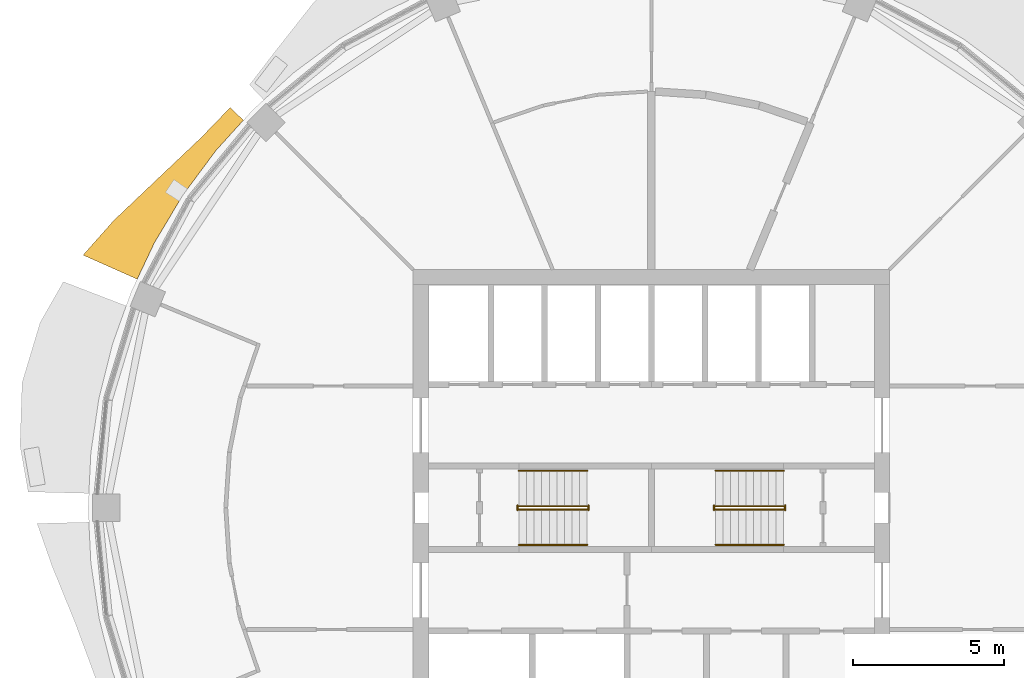
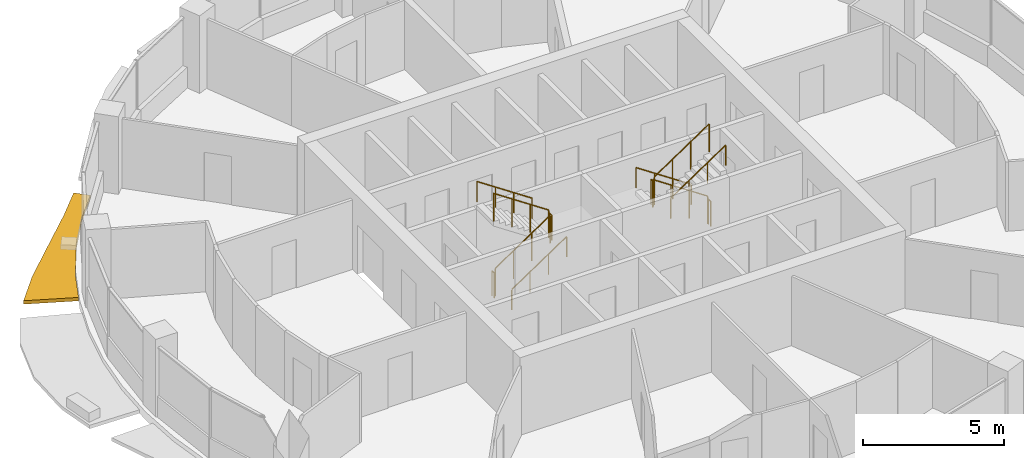
# One storey, part 13 of 15: 12 railings, 1 shading device.
"""IFC4 building model written with IfcOpenShell, lengths in metres."""

from ifc_helpers import new_model, si_unit, direction, frame, origin, origin_2d, place, context, subcontext, project, spatial, polyline, circle, outline, extrude, material, type_object, element, save


model = new_model("IFC4")

# Units and contexts
model_context = context("Model", 3, precision=1e-05, world=origin(), true_north=direction((0.0, 1.0)))
body_context = subcontext(model_context, "Body", "Model", "MODEL_VIEW")
ifc_project = project(units=[si_unit("LENGTHUNIT", "METRE"), si_unit("AREAUNIT", "SQUARE_METRE"), si_unit("VOLUMEUNIT", "CUBIC_METRE"), si_unit("PLANEANGLEUNIT", "RADIAN"), si_unit("MASSUNIT", "GRAM", prefix="KILO")], contexts=[model_context])

# Site, building, storey
site_placement = place(None, origin())
site = spatial("IfcSite", under=ifc_project, at=site_placement, CompositionType="ELEMENT")
building_placement = place(site_placement, origin())
building = spatial("IfcBuilding", under=site, at=building_placement, Name="Polderwave Tower", CompositionType="ELEMENT")
storey_placement = place(building_placement, frame((0.0, 0.0, 177.60009765625)))
storey = spatial("IfcBuildingStorey", under=building, at=storey_placement, Name="L47", CompositionType="ELEMENT", Elevation=177.60009765625)

# Railings
ifc_material_1 = material(Name="Stainless steel", Category="steel")
railing_type_1 = type_object("IfcRailingType", Name="Stair guard 1100", PredefinedType="GUARDRAIL", material=ifc_material_1)
railing_1_placement = place(storey_placement, frame((-4.3740234375, -0.051025390625, 0.04736328125)))
element("IfcRailing", 1, at=railing_1_placement, inside=storey, type_object=railing_type_1, Name="L47 ST-A stair guard 1", PredefinedType="GUARDRAIL", context=body_context, shape_type="SweptSolid", body=[
    extrude(circle(Radius=0.02392578125, at=origin_2d()), frame((0.0, 0.0, 1.1962890625), z_axis=(0.830799990696, 0.0, 0.556571087517), x_axis=(0.0, 1.0, 0.0)), (0.0, 0.0, 1.0), 2.708251953125),
    extrude(circle(Radius=0.02392578125, at=origin_2d()), origin(), (0.0, 0.0, 1.0), 1.172119140625),
    extrude(circle(Radius=0.02392578125, at=origin_2d()), frame((0.75, 0.0, 0.50244140625)), (0.0, 0.0, 1.0), 1.172119140625),
    extrude(circle(Radius=0.02392578125, at=origin_2d()), frame((1.5, 0.0, 1.0048828125)), (0.0, 0.0, 1.0), 1.172119140625),
    extrude(circle(Radius=0.02392578125, at=origin_2d()), frame((2.25, 0.0, 1.50732421875)), (0.0, 0.0, 1.0), 1.172119140625),
])
railing_2_placement = place(storey_placement, frame((-2.073974609375, -0.074951171875, 1.6748046875)))
element("IfcRailing", 2, at=railing_2_placement, inside=storey, type_object=railing_type_1, Name="L47 ST-A stair guard 2", PredefinedType="GUARDRAIL", context=body_context, shape_type="SweptSolid", body=[
    extrude(circle(Radius=0.02392578125, at=origin_2d()), frame((0.0, 0.0, 1.076171875), z_axis=(0.0, 1.0, 0.0), x_axis=(-1.0, 0.0, 0.0)), (0.0, 0.0, 1.0), 0.14990234375),
    extrude(circle(Radius=0.02099609375, at=origin_2d()), origin(), (0.0, 0.0, 1.0), 1.052001953125),
    extrude(circle(Radius=0.02099609375, at=origin_2d()), frame((0.0, 0.14990234375, 0.0)), (0.0, 0.0, 1.0), 1.052001953125),
])
railing_3_placement = place(storey_placement, frame((-2.1240234375, 0.051025390625, 1.72216796875)))
element("IfcRailing", 3, at=railing_3_placement, inside=storey, type_object=railing_type_1, Name="L47 ST-A stair guard 3", PredefinedType="GUARDRAIL", context=body_context, shape_type="SweptSolid", body=[
    extrude(circle(Radius=0.02392578125, at=origin_2d()), frame((0.0, 0.0, 1.1962890625), z_axis=(-0.830758306289, 0.0, 0.556633305266), x_axis=(0.0, -1.0, 0.0)), (0.0, 0.0, 1.0), 2.708251953125),
    extrude(circle(Radius=0.02392578125, at=origin_2d()), origin(), (0.0, 0.0, 1.0), 1.172119140625),
    extrude(circle(Radius=0.02392578125, at=origin_2d()), frame((-0.75, 0.0, 0.50244140625)), (0.0, 0.0, 1.0), 1.172119140625),
    extrude(circle(Radius=0.02392578125, at=origin_2d()), frame((-1.5, 0.0, 1.005126953125)), (0.0, 0.0, 1.0), 1.172119140625),
    extrude(circle(Radius=0.02392578125, at=origin_2d()), frame((-2.25, 0.0, 1.507568359375)), (0.0, 0.0, 1.0), 1.172119140625),
])
railing_4_placement = place(storey_placement, frame((-4.424072265625, -0.074951171875, 0.0)))
element("IfcRailing", 4, at=railing_4_placement, inside=storey, type_object=railing_type_1, Name="L47 ST-A stair guard 4", PredefinedType="GUARDRAIL", context=body_context, shape_type="SweptSolid", body=[
    extrude(circle(Radius=0.02392578125, at=origin_2d()), frame((0.0, 0.0, 1.076171875), z_axis=(0.0, 1.0, 0.0), x_axis=(-1.0, 0.0, 0.0)), (0.0, 0.0, 1.0), 0.14990234375),
    extrude(circle(Radius=0.02099609375, at=origin_2d()), origin(), (0.0, 0.0, 1.0), 1.052001953125),
    extrude(circle(Radius=0.02099609375, at=origin_2d()), frame((0.0, 0.14990234375, 0.0)), (0.0, 0.0, 1.0), 1.052001953125),
])
railing_5_placement = place(storey_placement, frame((4.3740234375, 0.051025390625, 0.04736328125)))
element("IfcRailing", 5, at=railing_5_placement, inside=storey, type_object=railing_type_1, Name="L47 ST-B stair guard 1", PredefinedType="GUARDRAIL", context=body_context, shape_type="SweptSolid", body=[
    extrude(circle(Radius=0.02392578125, at=origin_2d()), frame((0.0, 0.0, 1.1962890625), z_axis=(-0.830799990696, 0.0, 0.556571087517), x_axis=(0.0, -1.0, 0.0)), (0.0, 0.0, 1.0), 2.708251953125),
    extrude(circle(Radius=0.02392578125, at=origin_2d()), origin(), (0.0, 0.0, 1.0), 1.172119140625),
    extrude(circle(Radius=0.02392578125, at=origin_2d()), frame((-0.75, 0.0, 0.50244140625)), (0.0, 0.0, 1.0), 1.172119140625),
    extrude(circle(Radius=0.02392578125, at=origin_2d()), frame((-1.5, 0.0, 1.0048828125)), (0.0, 0.0, 1.0), 1.172119140625),
    extrude(circle(Radius=0.02392578125, at=origin_2d()), frame((-2.25, 0.0, 1.50732421875)), (0.0, 0.0, 1.0), 1.172119140625),
])
railing_6_placement = place(storey_placement, frame((2.073974609375, 0.074951171875, 1.6748046875)))
element("IfcRailing", 6, at=railing_6_placement, inside=storey, type_object=railing_type_1, Name="L47 ST-B stair guard 2", PredefinedType="GUARDRAIL", context=body_context, shape_type="SweptSolid", body=[
    extrude(circle(Radius=0.02392578125, at=origin_2d()), frame((0.0, 0.0, 1.076171875), z_axis=(0.0, -1.0, 0.0), x_axis=(1.0, 0.0, 0.0)), (0.0, 0.0, 1.0), 0.14990234375),
    extrude(circle(Radius=0.02099609375, at=origin_2d()), origin(), (0.0, 0.0, 1.0), 1.052001953125),
    extrude(circle(Radius=0.02099609375, at=origin_2d()), frame((0.0, -0.14990234375, 0.0)), (0.0, 0.0, 1.0), 1.052001953125),
])
railing_7_placement = place(storey_placement, frame((2.1240234375, -0.051025390625, 1.72216796875)))
element("IfcRailing", 7, at=railing_7_placement, inside=storey, type_object=railing_type_1, Name="L47 ST-B stair guard 3", PredefinedType="GUARDRAIL", context=body_context, shape_type="SweptSolid", body=[
    extrude(circle(Radius=0.02392578125, at=origin_2d()), frame((0.0, 0.0, 1.1962890625), z_axis=(0.830758306289, 0.0, 0.556633305266), x_axis=(0.0, 1.0, 0.0)), (0.0, 0.0, 1.0), 2.708251953125),
    extrude(circle(Radius=0.02392578125, at=origin_2d()), origin(), (0.0, 0.0, 1.0), 1.172119140625),
    extrude(circle(Radius=0.02392578125, at=origin_2d()), frame((0.75, 0.0, 0.50244140625)), (0.0, 0.0, 1.0), 1.172119140625),
    extrude(circle(Radius=0.02392578125, at=origin_2d()), frame((1.5, 0.0, 1.005126953125)), (0.0, 0.0, 1.0), 1.172119140625),
    extrude(circle(Radius=0.02392578125, at=origin_2d()), frame((2.25, 0.0, 1.507568359375)), (0.0, 0.0, 1.0), 1.172119140625),
])
railing_8_placement = place(storey_placement, frame((4.424072265625, 0.074951171875, 0.0)))
element("IfcRailing", 8, at=railing_8_placement, inside=storey, type_object=railing_type_1, Name="L47 ST-B stair guard 4", PredefinedType="GUARDRAIL", context=body_context, shape_type="SweptSolid", body=[
    extrude(circle(Radius=0.02392578125, at=origin_2d()), frame((0.0, 0.0, 1.076171875), z_axis=(0.0, -1.0, 0.0), x_axis=(1.0, 0.0, 0.0)), (0.0, 0.0, 1.0), 0.14990234375),
    extrude(circle(Radius=0.02099609375, at=origin_2d()), origin(), (0.0, 0.0, 1.0), 1.052001953125),
    extrude(circle(Radius=0.02099609375, at=origin_2d()), frame((0.0, -0.14990234375, 0.0)), (0.0, 0.0, 1.0), 1.052001953125),
])
railing_type_2 = type_object("IfcRailingType", Name="Stair handrail 900", PredefinedType="HANDRAIL", material=ifc_material_1)
railing_9_placement = place(storey_placement, frame((-4.3740234375, -1.22509765625, 0.16748046875)))
element("IfcRailing", 9, at=railing_9_placement, inside=storey, type_object=railing_type_2, Name="L47 ST-A stair handrail 1", PredefinedType="HANDRAIL", context=body_context, shape_type="SweptSolid", body=[
    extrude(circle(Radius=0.02392578125, at=origin_2d()), frame((0.0, 0.0, 0.8759765625), z_axis=(0.830799990696, 0.0, 0.556571087517), x_axis=(0.0, 1.0, 0.0)), (0.0, 0.0, 1.0), 2.708251953125),
    extrude(circle(Radius=0.02099609375, at=origin_2d()), origin(), (0.0, 0.0, 1.0), 0.851806640625),
    extrude(circle(Radius=0.02099609375, at=origin_2d()), frame((0.75, 0.0, 0.50244140625)), (0.0, 0.0, 1.0), 0.851806640625),
    extrude(circle(Radius=0.02099609375, at=origin_2d()), frame((1.5, 0.0, 1.0048828125)), (0.0, 0.0, 1.0), 0.851806640625),
    extrude(circle(Radius=0.02099609375, at=origin_2d()), frame((2.25, 0.0, 1.50732421875)), (0.0, 0.0, 1.0), 0.851806640625),
])
railing_10_placement = place(storey_placement, frame((-2.1240234375, 1.22509765625, 1.84228515625)))
element("IfcRailing", 10, at=railing_10_placement, inside=storey, type_object=railing_type_2, Name="L47 ST-A stair handrail 2", PredefinedType="HANDRAIL", context=body_context, shape_type="SweptSolid", body=[
    extrude(circle(Radius=0.02392578125, at=origin_2d()), frame((0.0, 0.0, 0.8759765625), z_axis=(-0.830758306289, 0.0, 0.556633305266), x_axis=(0.0, -1.0, 0.0)), (0.0, 0.0, 1.0), 2.708251953125),
    extrude(circle(Radius=0.02099609375, at=origin_2d()), origin(), (0.0, 0.0, 1.0), 0.851806640625),
    extrude(circle(Radius=0.02099609375, at=origin_2d()), frame((-0.75, 0.0, 0.50244140625)), (0.0, 0.0, 1.0), 0.851806640625),
    extrude(circle(Radius=0.02099609375, at=origin_2d()), frame((-1.5, 0.0, 1.005126953125)), (0.0, 0.0, 1.0), 0.851806640625),
    extrude(circle(Radius=0.02099609375, at=origin_2d()), frame((-2.25, 0.0, 1.507568359375)), (0.0, 0.0, 1.0), 0.851806640625),
])
railing_11_placement = place(storey_placement, frame((4.3740234375, 1.22509765625, 0.16748046875)))
element("IfcRailing", 11, at=railing_11_placement, inside=storey, type_object=railing_type_2, Name="L47 ST-B stair handrail 1", PredefinedType="HANDRAIL", context=body_context, shape_type="SweptSolid", body=[
    extrude(circle(Radius=0.02392578125, at=origin_2d()), frame((0.0, 0.0, 0.8759765625), z_axis=(-0.830799990696, 0.0, 0.556571087517), x_axis=(0.0, -1.0, 0.0)), (0.0, 0.0, 1.0), 2.708251953125),
    extrude(circle(Radius=0.02099609375, at=origin_2d()), origin(), (0.0, 0.0, 1.0), 0.851806640625),
    extrude(circle(Radius=0.02099609375, at=origin_2d()), frame((-0.75, 0.0, 0.50244140625)), (0.0, 0.0, 1.0), 0.851806640625),
    extrude(circle(Radius=0.02099609375, at=origin_2d()), frame((-1.5, 0.0, 1.0048828125)), (0.0, 0.0, 1.0), 0.851806640625),
    extrude(circle(Radius=0.02099609375, at=origin_2d()), frame((-2.25, 0.0, 1.50732421875)), (0.0, 0.0, 1.0), 0.851806640625),
])
railing_12_placement = place(storey_placement, frame((2.1240234375, -1.22509765625, 1.84228515625)))
element("IfcRailing", 12, at=railing_12_placement, inside=storey, type_object=railing_type_2, Name="L47 ST-B stair handrail 2", PredefinedType="HANDRAIL", context=body_context, shape_type="SweptSolid", body=[
    extrude(circle(Radius=0.02392578125, at=origin_2d()), frame((0.0, 0.0, 0.8759765625), z_axis=(0.830758306289, 0.0, 0.556633305266), x_axis=(0.0, 1.0, 0.0)), (0.0, 0.0, 1.0), 2.708251953125),
    extrude(circle(Radius=0.02099609375, at=origin_2d()), origin(), (0.0, 0.0, 1.0), 0.851806640625),
    extrude(circle(Radius=0.02099609375, at=origin_2d()), frame((0.75, 0.0, 0.50244140625)), (0.0, 0.0, 1.0), 0.851806640625),
    extrude(circle(Radius=0.02099609375, at=origin_2d()), frame((1.5, 0.0, 1.005126953125)), (0.0, 0.0, 1.0), 0.851806640625),
    extrude(circle(Radius=0.02099609375, at=origin_2d()), frame((2.25, 0.0, 1.507568359375)), (0.0, 0.0, 1.0), 0.851806640625),
])

# Shading device
ifc_material_2 = material(Name="Terracotta", Category="masonry")
shading_device_type = type_object("IfcShadingDeviceType", Name="Terracotta sunshade band", PredefinedType="USERDEFINED", material=ifc_material_2)
shading_device_placement = place(storey_placement, frame((0.0, 0.0, -0.35009765625)))
element("IfcShadingDevice", 13, at=shading_device_placement, inside=storey, type_object=shading_device_type, Name="Sunshade band L47 7", ObjectType="SUNSHADE", PredefinedType="USERDEFINED", context=body_context, shape_type="SweptSolid", body=[
    extrude(outline(polyline([(-13.486572265625, 12.81298828125), (-14.3935546875, 11.8125), (-15.48193359375, 10.3447265625), (-16.42138671875, 8.77734375), (-16.998779296875, 7.556640625), (-18.788818359375, 8.352294921875), (-17.772216796875, 9.49951171875), (-16.30419921875, 10.89404296875), (-14.897705078125, 12.22607421875), (-13.926025390625, 13.23046875), (-13.486572265625, 12.81298828125)])), origin(), (0.0, 0.0, 1.0), 0.14990234375),
])

save(model, "model.ifc")
